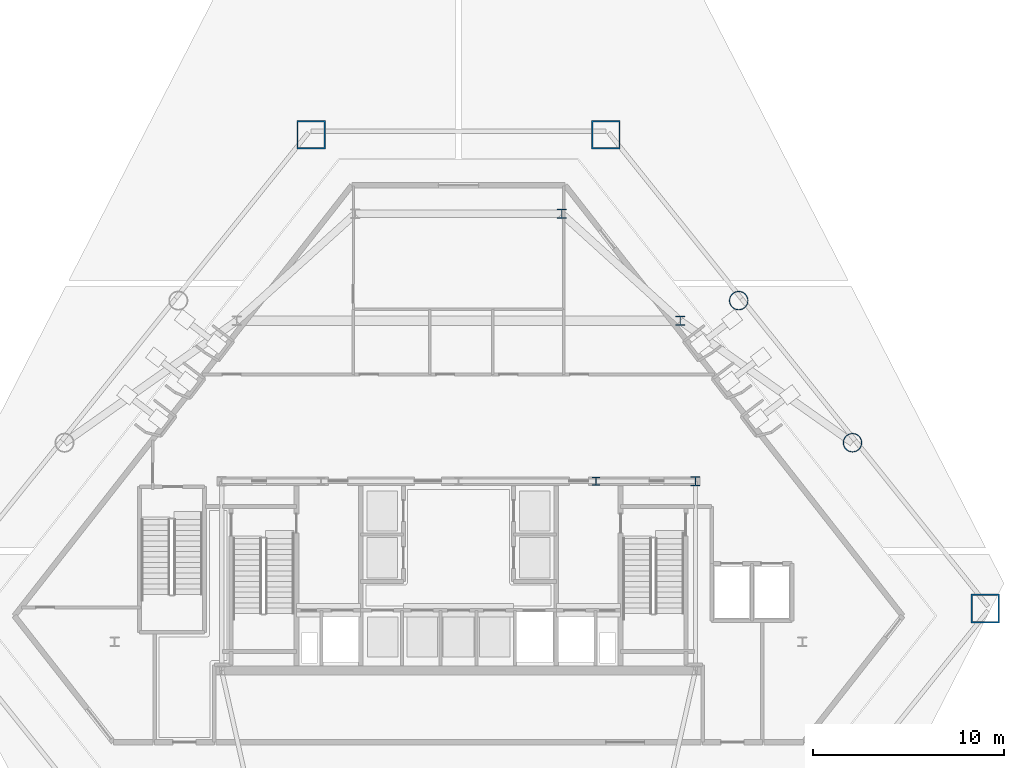
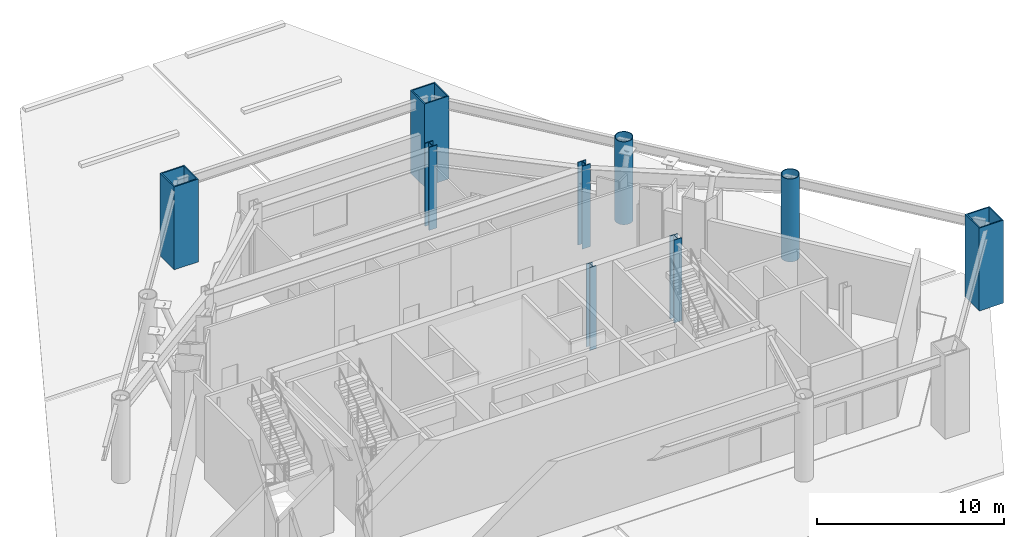
# One storey, part 2 of 9: 9 columns.
"""IFC4 building model written with IfcOpenShell, lengths in metres."""

from ifc_helpers import new_model, si_unit, direction, frame, origin, origin_2d, place, context, subcontext, project, spatial, hollow_rectangle, hollow_circle, i_section, extrude, material, material_profile, profile_set, type_object, element, save


model = new_model("IFC4")

# Units and contexts
model_context = context("Model", 3, precision=1e-05, world=origin(), true_north=direction((0.0, 1.0)))
body_context = subcontext(model_context, "Body", "Model", "MODEL_VIEW")
ifc_project = project(units=[si_unit("LENGTHUNIT", "METRE"), si_unit("AREAUNIT", "SQUARE_METRE"), si_unit("VOLUMEUNIT", "CUBIC_METRE"), si_unit("PLANEANGLEUNIT", "RADIAN"), si_unit("MASSUNIT", "GRAM", prefix="KILO")], contexts=[model_context])

# Site, building, storey
site_placement = place(None, origin())
site = spatial("IfcSite", under=ifc_project, at=site_placement, CompositionType="ELEMENT")
building_placement = place(site_placement, origin())
building = spatial("IfcBuilding", under=site, at=building_placement, Name="Talgorran Terracotta Tower", CompositionType="ELEMENT")
storey_placement = place(building_placement, origin())
storey = spatial("IfcBuildingStorey", under=building, at=storey_placement, Name="L00", CompositionType="ELEMENT", Elevation=0.0)

# Columns
ifc_material_1 = material(Name="Steel S355 (300PLUS)", Category="steel")
ifc_material_profile_1 = material_profile(ifc_material_1, i_section(OverallWidth=0.5, OverallDepth=0.48193359375, WebThickness=0.0400390625, FlangeThickness=0.044921875, at=origin_2d()), Name="500WC440")
ifc_profile_set_1 = profile_set([ifc_material_profile_1], Name="Steel S355 (300PLUS)")
column_type_1 = type_object("IfcColumnType", Name="COL_500WC440", PredefinedType="COLUMN", material=ifc_profile_set_1)
for number, where, z_axis, x_axis, name in (
    (1, (12.39990234375, -4.199951171875, 0.0), (0.0, 0.0, 1.0), (1.0, 0.0, 0.0), "L00 Core Boundary Column CC3"),
    (2, (11.60009765625, 4.199951171875, 0.0), (0.0, 0.0, 1.0), (1.0, 0.0, 0.0), "L00 Podium Column PC4"),
    (3, (5.39990234375, 9.800048828125, 0.0), (0.0, 0.0, 1.0), (1.0, 0.0, 0.0), "L00 Podium Column PC6"),
):
    element("IfcColumn", number, at=place(storey_placement, frame(where, z_axis=z_axis, x_axis=x_axis)), inside=storey, type_object=column_type_1, Name=name, PredefinedType="COLUMN", context=body_context, shape_type="SweptSolid", body=[
        extrude(i_section(OverallWidth=0.5, OverallDepth=0.48193359375, WebThickness=0.0400390625, FlangeThickness=0.044921875, at=origin_2d()), origin(), (0.0, 0.0, 1.0), 5.39990234375),
    ])
ifc_material_2 = material(Name="Steel Grade 350 (350L0)", Category="steel")
ifc_material_profile_2 = material_profile(ifc_material_2, hollow_rectangle(XDim=1.5, YDim=1.5, WallThickness=0.074951171875, at=origin_2d()), Name="CFT1500X1500X75")
ifc_profile_set_2 = profile_set([ifc_material_profile_2], Name="Steel Grade 350 (350L0)")
column_type_2 = type_object("IfcColumnType", Name="COL_CFT_1500", PredefinedType="COLUMN", material=ifc_profile_set_2)
for number, where, z_axis, x_axis, name in (
    (4, (27.56982421875, -10.85595703125, 0.0), (0.0, 0.0, 1.0), (1.0, 0.0, 0.0), "L00 Corner CFT Mega-Column MC4"),
    (5, (7.714111328125, 13.93603515625, 0.0), (0.0, 0.0, 1.0), (1.0, 0.0, 0.0), "L00 Corner CFT Mega-Column MC5"),
    (6, (-7.714111328125, 13.93603515625, 0.0), (0.0, 0.0, 1.0), (1.0, 0.0, 0.0), "L00 Corner CFT Mega-Column MC6"),
):
    element("IfcColumn", number, at=place(storey_placement, frame(where, z_axis=z_axis, x_axis=x_axis)), inside=storey, type_object=column_type_2, Name=name, PredefinedType="COLUMN", context=body_context, shape_type="SweptSolid", body=[
        extrude(hollow_rectangle(XDim=1.5, YDim=1.5, WallThickness=0.074951171875, at=origin_2d()), origin(), (0.0, 0.0, 1.0), 5.39990234375),
    ])
ifc_material_profile_3 = material_profile(ifc_material_2, hollow_circle(Radius=0.5, WallThickness=0.044921875, at=origin_2d()), Name="CHS1000X45")
ifc_profile_set_3 = profile_set([ifc_material_profile_3], Name="Steel Grade 350 (350L0)")
column_type_3 = type_object("IfcColumnType", Name="COL_CHS_1000", PredefinedType="COLUMN", material=ifc_profile_set_3)
for number, where, z_axis, x_axis, name in (
    (7, (20.620361328125, -2.1787109375, 0.0), (0.0, 0.0, 1.0), (1.0, 0.0, 0.0), "L00 Facet Perimeter Column FC3"),
    (8, (14.663818359375, 5.2587890625, 0.0), (0.0, 0.0, 1.0), (1.0, 0.0, 0.0), "L00 Facet Perimeter Column FC4"),
):
    element("IfcColumn", number, at=place(storey_placement, frame(where, z_axis=z_axis, x_axis=x_axis)), inside=storey, type_object=column_type_3, Name=name, PredefinedType="COLUMN", context=body_context, shape_type="SweptSolid", body=[
        extrude(hollow_circle(Radius=0.5, WallThickness=0.044921875, at=origin_2d()), origin(), (0.0, 0.0, 1.0), 5.39990234375),
    ])
ifc_material_profile_4 = material_profile(ifc_material_1, i_section(OverallWidth=0.405029296875, OverallDepth=0.4140625, WebThickness=0.02197265625, FlangeThickness=0.031982421875, at=origin_2d()), Name="400WC270")
ifc_profile_set_4 = profile_set([ifc_material_profile_4], Name="Steel S355 (300PLUS)")
column_type_4 = type_object("IfcColumnType", Name="COL_PIL_400WC270", PredefinedType="PILASTER", material=ifc_profile_set_4)
column_placement = place(storey_placement, frame((7.199951171875, -4.199951171875, 0.0), z_axis=(0.0, 0.0, 1.0), x_axis=(1.0, 0.0, 0.0)))
element("IfcColumn", 9, at=column_placement, inside=storey, type_object=column_type_4, Name="L00 Core Shear Pilaster CP3", PredefinedType="PILASTER", context=body_context, shape_type="SweptSolid", body=[
    extrude(i_section(OverallWidth=0.405029296875, OverallDepth=0.4140625, WebThickness=0.02197265625, FlangeThickness=0.031982421875, at=origin_2d()), origin(), (0.0, 0.0, 1.0), 5.39990234375),
])

save(model, "model.ifc")
